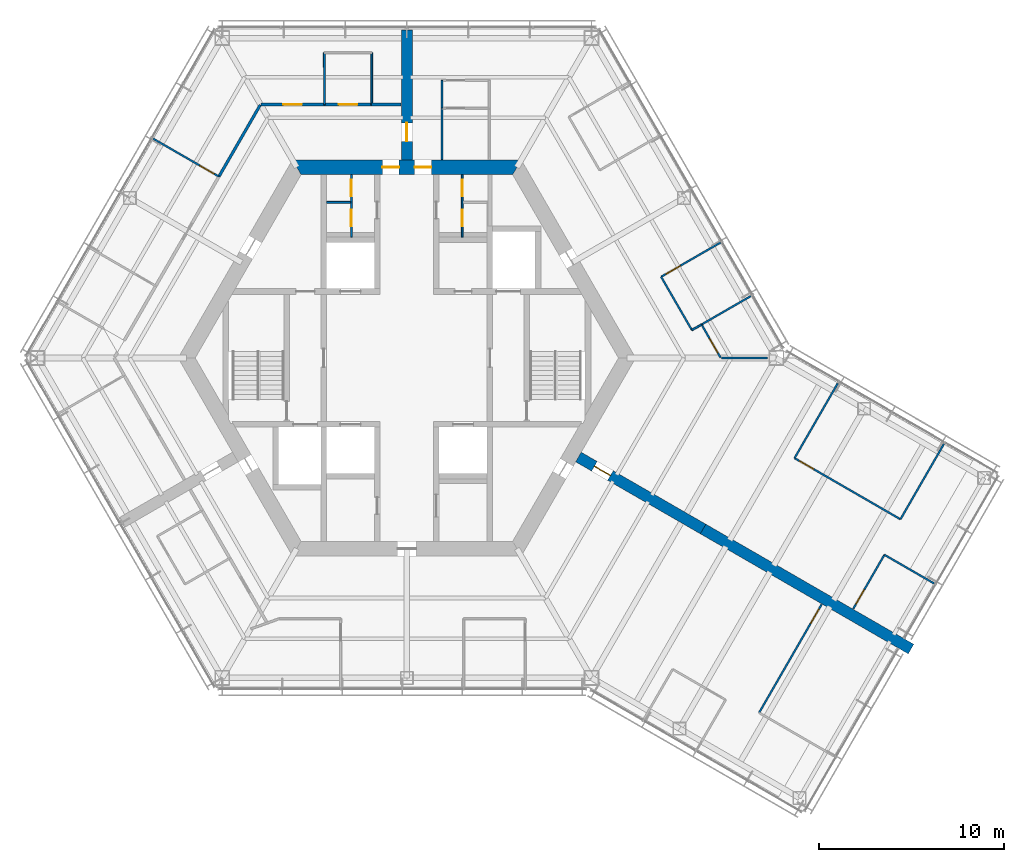
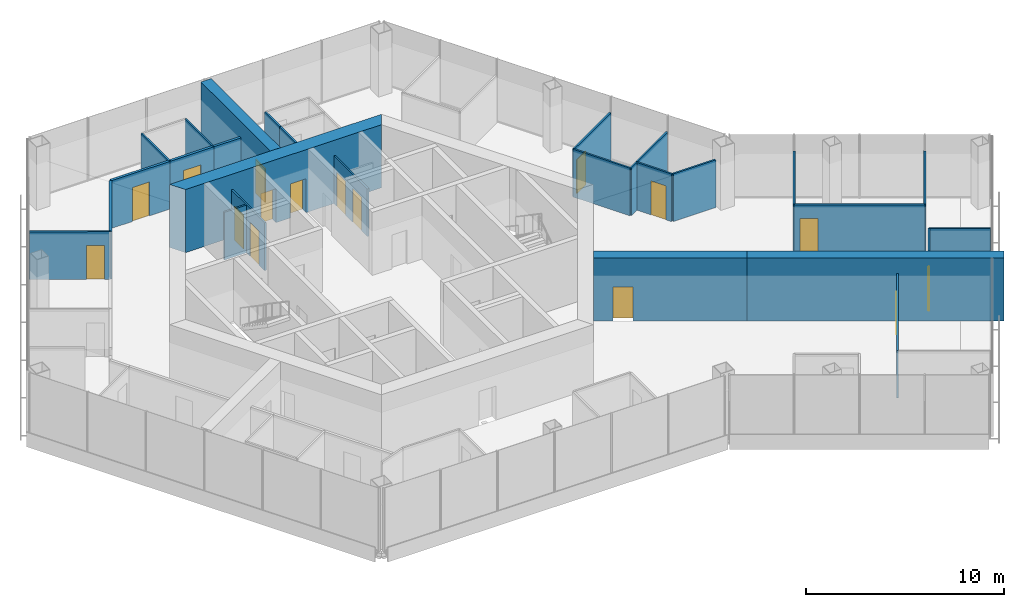
# One storey, part 12 of 16: 28 walls, 16 doors, 16 openings.
"""IFC4 building model written with IfcOpenShell, lengths in metres."""

from ifc_helpers import new_model, si_unit, direction, frame, frame_2d, origin, place, context, subcontext, project, spatial, polyline, rectangle, outline, extrude, material, layer, layer_set, type_object, element, fill, save


model = new_model("IFC4")

# Units and contexts
model_context = context("Model", 3, precision=1e-05, world=origin(), true_north=direction((0.0, 1.0)))
body_context = subcontext(model_context, "Body", "Model", "MODEL_VIEW")
ifc_project = project(units=[si_unit("LENGTHUNIT", "METRE"), si_unit("AREAUNIT", "SQUARE_METRE"), si_unit("VOLUMEUNIT", "CUBIC_METRE"), si_unit("PLANEANGLEUNIT", "RADIAN"), si_unit("MASSUNIT", "GRAM", prefix="KILO")], contexts=[model_context])

# Site, building, storey
site_placement = place(None, origin())
site = spatial("IfcSite", under=ifc_project, at=site_placement, CompositionType="ELEMENT")
building_placement = place(site_placement, origin())
building = spatial("IfcBuilding", under=site, at=building_placement, Name="Kasaneha Research Tower", CompositionType="ELEMENT")
storey_placement = place(building_placement, frame((0.0, 0.0, 255.699951171875)))
storey = spatial("IfcBuildingStorey", under=building, at=storey_placement, Name="L64", CompositionType="ELEMENT", Elevation=255.699951171875)

# Wall, openings, doors
ifc_material_1 = material(Name="Concrete Fc60", Category="concrete")
ifc_layer_1 = layer(ifc_material_1, 0.800048828125)
ifc_layer_set_1 = layer_set([ifc_layer_1], Name="Core wall 800 Fc60")
wall_type_1 = type_object("IfcWallType", Name="Core wall 800 Fc60", PredefinedType="SHEAR", material=ifc_layer_set_1)
wall_1_placement = place(storey_placement, frame((5.961181640625, 10.324951171875, 0.0), z_axis=(0.0, 0.0, 1.0), x_axis=(-1.0, 0.0, 0.0)))
wall_1 = element("IfcWall", 1, at=wall_1_placement, inside=storey, type_object=wall_type_1, Name="Core wall 090 L64", PredefinedType="SHEAR", context=body_context, shape_type="SweptSolid", body=[
    extrude(outline(polyline([(-0.23095703125, -0.39990234375), (4.63623046875, -0.39990234375), (5.5361328125, -0.39990234375), (6.38623046875, -0.39990234375), (7.2861328125, -0.39990234375), (12.1533203125, -0.39990234375), (11.69140625, 0.39990234375), (7.2861328125, 0.39990234375), (6.38623046875, 0.39990234375), (5.5361328125, 0.39990234375), (4.63623046875, 0.39990234375), (0.23095703125, 0.39990234375), (-0.23095703125, -0.39990234375)])), origin(), (0.0, 0.0, 1.0), 3.900146484375),
])
opening_1_placement = place(wall_1_placement, frame((6.38623046875, 0.0, 0.0)))
opening_1 = element("IfcOpeningElement", 2, at=opening_1_placement, cuts=wall_1, Name="Opening L64-D01", PredefinedType="OPENING", context=body_context, shape_type="SweptSolid", body=[
    extrude(rectangle(XDim=0.89990234375, YDim=2.10009765625, at=frame_2d((0.449951171875, 1.050048828125))), frame((0.0, 0.41015625, 0.0), z_axis=(0.0, -1.0, 0.0), x_axis=(1.0, 0.0, 0.0)), (0.0, 0.0, 1.0), 0.820068359375),
])
opening_2_placement = place(wall_1_placement, frame((4.63623046875, 0.0, 0.0)))
opening_2 = element("IfcOpeningElement", 3, at=opening_2_placement, cuts=wall_1, Name="Opening L64-D02", PredefinedType="OPENING", context=body_context, shape_type="SweptSolid", body=[
    extrude(rectangle(XDim=0.89990234375, YDim=2.10009765625, at=frame_2d((0.449951171875, 1.050048828125))), frame((0.0, 0.41015625, 0.0), z_axis=(0.0, -1.0, 0.0), x_axis=(1.0, 0.0, 0.0)), (0.0, 0.0, 1.0), 0.820068359375),
])
ifc_material_2 = material(Name="Steel", Category="steel")
door_type_1 = type_object("IfcDoorType", Name="Toilet door FD20 900x2100", OperationType="NOTDEFINED", PredefinedType="DOOR", material=ifc_material_2)
door_1_placement = place(opening_1_placement, origin())
door_1 = element("IfcDoor", 4, at=door_1_placement, inside=storey, type_object=door_type_1, Name="Core door north 1 L64-D01", OperationType="SINGLE_SWING_RIGHT", OverallHeight=2.10009765625, OverallWidth=0.89990234375, PredefinedType="DOOR", context=body_context, shape_type="SweptSolid", body=[
    extrude(rectangle(XDim=0.89990234375, YDim=2.10009765625, at=frame_2d((0.449951171875, 1.050048828125))), frame((0.0, 0.02490234375, 0.0), z_axis=(0.0, -1.0, 0.0), x_axis=(1.0, 0.0, 0.0)), (0.0, 0.0, 1.0), 0.050048828125),
])
fill(opening_1, door_1)
door_2_placement = place(opening_2_placement, origin())
door_2 = element("IfcDoor", 5, at=door_2_placement, inside=storey, type_object=door_type_1, Name="Core door north 2 L64-D02", OperationType="SINGLE_SWING_LEFT", OverallHeight=2.10009765625, OverallWidth=0.89990234375, PredefinedType="DOOR", context=body_context, shape_type="SweptSolid", body=[
    extrude(rectangle(XDim=0.89990234375, YDim=2.10009765625, at=frame_2d((0.449951171875, 1.050048828125))), frame((0.0, 0.02490234375, 0.0), z_axis=(0.0, -1.0, 0.0), x_axis=(1.0, 0.0, 0.0)), (0.0, 0.0, 1.0), 0.050048828125),
])
fill(opening_2, door_2)

ifc_material_3 = material(Name="Gypsum board on steel studs, one layer each side", Category="steel")
ifc_layer_2 = layer(ifc_material_3, 0.10009765625)
ifc_layer_set_2 = layer_set([ifc_layer_2], Name="Office partition 100")
wall_type_2 = type_object("IfcWallType", Name="Office partition 100", PredefinedType="PARTITIONING", material=ifc_layer_set_2)
wall_2_placement = place(storey_placement, frame((-3.0, 6.550048828125, 0.0), z_axis=(0.0, 0.0, 1.0), x_axis=(0.0, 1.0, 0.0)))
wall_2 = element("IfcWall", 6, at=wall_2_placement, inside=storey, type_object=wall_type_2, Name="Office partition TBM1 L64", PredefinedType="PARTITIONING", context=body_context, shape_type="SweptSolid", body=[
    extrude(rectangle(XDim=3.375, YDim=0.10009765625, at=frame_2d((1.6875, 0.0))), origin(), (0.0, 0.0, 1.0), 2.949951171875),
])
opening_3_placement = place(wall_2_placement, frame((0.58740234375, 0.0, 0.0)))
opening_3 = element("IfcOpeningElement", 7, at=opening_3_placement, cuts=wall_2, Name="Opening L64-D21", PredefinedType="OPENING", context=body_context, shape_type="SweptSolid", body=[
    extrude(rectangle(XDim=0.89990234375, YDim=2.10009765625, at=frame_2d((0.449951171875, 1.050048828125))), frame((0.0, 0.06005859375, 0.0), z_axis=(0.0, -1.0, 0.0), x_axis=(1.0, 0.0, 0.0)), (0.0, 0.0, 1.0), 0.1201171875),
])
opening_4_placement = place(wall_2_placement, frame((2.199951171875, 0.0, 0.0)))
opening_4 = element("IfcOpeningElement", 8, at=opening_4_placement, cuts=wall_2, Name="Opening L64-D22", PredefinedType="OPENING", context=body_context, shape_type="SweptSolid", body=[
    extrude(rectangle(XDim=0.89990234375, YDim=2.10009765625, at=frame_2d((0.449951171875, 1.050048828125))), frame((0.0, 0.06005859375, 0.0), z_axis=(0.0, -1.0, 0.0), x_axis=(1.0, 0.0, 0.0)), (0.0, 0.0, 1.0), 0.1201171875),
])
ifc_material_4 = material(Name="Steel", Category="steel")
door_type_2 = type_object("IfcDoorType", Name="Toilet lobby door FD30 900x2100", OperationType="NOTDEFINED", PredefinedType="DOOR", material=ifc_material_4)
door_3_placement = place(opening_3_placement, origin())
door_3 = element("IfcDoor", 9, at=door_3_placement, inside=storey, type_object=door_type_2, Name="Men's WC door L64-D21", OperationType="SINGLE_SWING_RIGHT", OverallHeight=2.10009765625, OverallWidth=0.89990234375, PredefinedType="DOOR", context=body_context, shape_type="SweptSolid", body=[
    extrude(rectangle(XDim=0.89990234375, YDim=2.10009765625, at=frame_2d((0.449951171875, 1.050048828125))), frame((0.0, 0.02490234375, 0.0), z_axis=(0.0, -1.0, 0.0), x_axis=(1.0, 0.0, 0.0)), (0.0, 0.0, 1.0), 0.050048828125),
])
fill(opening_3, door_3)
door_4_placement = place(opening_4_placement, origin())
door_4 = element("IfcDoor", 10, at=door_4_placement, inside=storey, type_object=door_type_2, Name="Parents' room door L64-D22", OperationType="SINGLE_SWING_RIGHT", OverallHeight=2.10009765625, OverallWidth=0.89990234375, PredefinedType="DOOR", context=body_context, shape_type="SweptSolid", body=[
    extrude(rectangle(XDim=0.89990234375, YDim=2.10009765625, at=frame_2d((0.449951171875, 1.050048828125))), frame((0.0, 0.02490234375, 0.0), z_axis=(0.0, -1.0, 0.0), x_axis=(1.0, 0.0, 0.0)), (0.0, 0.0, 1.0), 0.050048828125),
])
fill(opening_4, door_4)

# Wall
wall_3_placement = place(storey_placement, frame((-3.050048828125, 8.425048828125, 0.0), z_axis=(0.0, 0.0, 1.0), x_axis=(-1.0, 0.0, 0.0)))
element("IfcWall", 11, at=wall_3_placement, inside=storey, type_object=wall_type_2, Name="Office partition TBM2 L64", PredefinedType="PARTITIONING", context=body_context, shape_type="SweptSolid", body=[
    extrude(rectangle(XDim=1.300048828125, YDim=0.10009765625, at=frame_2d((0.64990234375, 0.0))), origin(), (0.0, 0.0, 1.0), 2.949951171875),
])

# Wall, openings, doors
wall_4_placement = place(storey_placement, frame((3.0, 6.550048828125, 0.0), z_axis=(0.0, 0.0, 1.0), x_axis=(0.0, 1.0, 0.0)))
wall_4 = element("IfcWall", 12, at=wall_4_placement, inside=storey, type_object=wall_type_2, Name="Office partition TBF1 L64", PredefinedType="PARTITIONING", context=body_context, shape_type="SweptSolid", body=[
    extrude(rectangle(XDim=3.375, YDim=0.10009765625, at=frame_2d((1.6875, 0.0))), origin(), (0.0, 0.0, 1.0), 2.949951171875),
])
opening_5_placement = place(wall_4_placement, frame((0.58740234375, 0.0, 0.0)))
opening_5 = element("IfcOpeningElement", 13, at=opening_5_placement, cuts=wall_4, Name="Opening L64-D23", PredefinedType="OPENING", context=body_context, shape_type="SweptSolid", body=[
    extrude(rectangle(XDim=0.89990234375, YDim=2.10009765625, at=frame_2d((0.449951171875, 1.050048828125))), frame((0.0, 0.06005859375, 0.0), z_axis=(0.0, -1.0, 0.0), x_axis=(1.0, 0.0, 0.0)), (0.0, 0.0, 1.0), 0.1201171875),
])
opening_6_placement = place(wall_4_placement, frame((2.199951171875, 0.0, 0.0)))
opening_6 = element("IfcOpeningElement", 14, at=opening_6_placement, cuts=wall_4, Name="Opening L64-D24", PredefinedType="OPENING", context=body_context, shape_type="SweptSolid", body=[
    extrude(rectangle(XDim=0.89990234375, YDim=2.10009765625, at=frame_2d((0.449951171875, 1.050048828125))), frame((0.0, 0.06005859375, 0.0), z_axis=(0.0, -1.0, 0.0), x_axis=(1.0, 0.0, 0.0)), (0.0, 0.0, 1.0), 0.1201171875),
])
door_5_placement = place(opening_5_placement, origin())
door_5 = element("IfcDoor", 15, at=door_5_placement, inside=storey, type_object=door_type_2, Name="Women's WC door L64-D23", OperationType="SINGLE_SWING_RIGHT", OverallHeight=2.10009765625, OverallWidth=0.89990234375, PredefinedType="DOOR", context=body_context, shape_type="SweptSolid", body=[
    extrude(rectangle(XDim=0.89990234375, YDim=2.10009765625, at=frame_2d((0.449951171875, 1.050048828125))), frame((0.0, 0.02490234375, 0.0), z_axis=(0.0, -1.0, 0.0), x_axis=(1.0, 0.0, 0.0)), (0.0, 0.0, 1.0), 0.050048828125),
])
fill(opening_5, door_5)
door_6_placement = place(opening_6_placement, origin())
door_6 = element("IfcDoor", 16, at=door_6_placement, inside=storey, type_object=door_type_2, Name="Cleaner's store door L64-D24", OperationType="SINGLE_SWING_RIGHT", OverallHeight=2.10009765625, OverallWidth=0.89990234375, PredefinedType="DOOR", context=body_context, shape_type="SweptSolid", body=[
    extrude(rectangle(XDim=0.89990234375, YDim=2.10009765625, at=frame_2d((0.449951171875, 1.050048828125))), frame((0.0, 0.02490234375, 0.0), z_axis=(0.0, -1.0, 0.0), x_axis=(1.0, 0.0, 0.0)), (0.0, 0.0, 1.0), 0.050048828125),
])
fill(opening_6, door_6)

# Walls
wall_5_placement = place(storey_placement, frame((1.89990234375, 10.7451171875, 0.0), z_axis=(0.0, 0.0, 1.0), x_axis=(0.001668713644, 0.999998607696, 0.0)))
element("IfcWall", 17, at=wall_5_placement, inside=storey, type_object=wall_type_2, Name="Office partition FAE02 L64", PredefinedType="PARTITIONING", context=body_context, shape_type="SweptSolid", body=[
    extrude(rectangle(XDim=2.77978515625, YDim=0.10009765625, at=frame_2d((1.389892578125, 0.0))), origin(), (0.0, 0.0, 1.0), 2.949951171875),
])
wall_6_placement = place(storey_placement, frame((1.904541015625, 13.52490234375, 0.0), z_axis=(0.0, 0.0, 1.0), x_axis=(-0.00309243313, 0.999995218417, 0.0)))
element("IfcWall", 18, at=wall_6_placement, inside=storey, type_object=wall_type_2, Name="Office partition FAE05 L64", PredefinedType="PARTITIONING", context=body_context, shape_type="SweptSolid", body=[
    extrude(rectangle(XDim=1.5, YDim=0.10009765625, at=frame_2d((0.75, 0.0))), origin(), (0.0, 0.0, 1.0), 2.949951171875),
])
wall_7_placement = place(storey_placement, frame((18.619873046875, 3.3505859375, 0.0), z_axis=(0.0, 0.0, 1.0), x_axis=(-0.866043267704, -0.499969057507, 0.0)))
element("IfcWall", 19, at=wall_7_placement, inside=storey, type_object=wall_type_2, Name="Office partition FAE07 L64", PredefinedType="PARTITIONING", context=body_context, shape_type="SweptSolid", body=[
    extrude(rectangle(XDim=3.085205078125, YDim=0.10009765625, at=frame_2d((1.54248046875, 0.0))), origin(), (0.0, 0.0, 1.0), 2.949951171875),
])

# Wall, opening, door
wall_8_placement = place(storey_placement, frame((13.767333984375, 4.395263671875, 0.0), z_axis=(0.0, 0.0, 1.0), x_axis=(0.8660398467, 0.499974983301, 0.0)))
wall_8 = element("IfcWall", 20, at=wall_8_placement, inside=storey, type_object=wall_type_2, Name="Office partition FAE08 L64", PredefinedType="PARTITIONING", context=body_context, shape_type="SweptSolid", body=[
    extrude(rectangle(XDim=3.710205078125, YDim=0.10009765625, at=frame_2d((1.85498046875, 0.0))), origin(), (0.0, 0.0, 1.0), 2.949951171875),
])
opening_7_placement = place(wall_8_placement, frame((0.300048828125, 0.0, 0.0)))
opening_7 = element("IfcOpeningElement", 21, at=opening_7_placement, cuts=wall_8, Name="Opening L64-D27", PredefinedType="OPENING", context=body_context, shape_type="SweptSolid", body=[
    extrude(rectangle(XDim=0.89990234375, YDim=2.10009765625, at=frame_2d((0.449951171875, 1.050048828125))), frame((0.0, 0.06005859375, 0.0), z_axis=(0.0, -1.0, 0.0), x_axis=(1.0, 0.0, 0.0)), (0.0, 0.0, 1.0), 0.1201171875),
])
ifc_material_5 = material(Name="Timber veneer", Category="wood")
door_type_3 = type_object("IfcDoorType", Name="Office door 900x2100", OperationType="SINGLE_SWING_LEFT", PredefinedType="DOOR", material=ifc_material_5)
door_7_placement = place(opening_7_placement, origin())
door_7 = element("IfcDoor", 22, at=door_7_placement, inside=storey, type_object=door_type_3, Name="Executive office door L64-D27", OperationType="SINGLE_SWING_LEFT", OverallHeight=2.10009765625, OverallWidth=0.89990234375, PredefinedType="DOOR", context=body_context, shape_type="SweptSolid", body=[
    extrude(rectangle(XDim=0.89990234375, YDim=2.10009765625, at=frame_2d((0.449951171875, 1.050048828125))), frame((0.0, 0.02490234375, 0.0), z_axis=(0.0, -1.0, 0.0), x_axis=(1.0, 0.0, 0.0)), (0.0, 0.0, 1.0), 0.050048828125),
])
fill(opening_7, door_7)

# Walls
wall_9_placement = place(storey_placement, frame((15.432861328125, 1.510498046875, 0.0), z_axis=(0.0, 0.0, 1.0), x_axis=(-0.500001606164, 0.866024476463, 0.0)))
element("IfcWall", 23, at=wall_9_placement, inside=storey, type_object=wall_type_2, Name="Office partition FAE09 L64", PredefinedType="PARTITIONING", context=body_context, shape_type="SweptSolid", body=[
    extrude(rectangle(XDim=3.3310546875, YDim=0.10009765625, at=frame_2d((1.66552734375, 0.0))), origin(), (0.0, 0.0, 1.0), 2.949951171875),
])
wall_10_placement = place(storey_placement, frame((15.956298828125, 1.812744140625, 0.0), z_axis=(0.0, 0.0, 1.0), x_axis=(-0.865997239347, -0.500048779063, 0.0)))
element("IfcWall", 24, at=wall_10_placement, inside=storey, type_object=wall_type_2, Name="Office partition FAE10 L64", PredefinedType="PARTITIONING", context=body_context, shape_type="SweptSolid", body=[
    extrude(rectangle(XDim=0.6044921875, YDim=0.10009765625, at=frame_2d((0.30224609375, 0.0))), origin(), (0.0, 0.0, 1.0), 2.949951171875),
])

# Wall, opening, door
wall_11_placement = place(storey_placement, frame((16.986083984375, 0.02001953125, 0.0), z_axis=(0.0, 0.0, 1.0), x_axis=(-0.498096123952, 0.867121820337, 0.0)))
wall_11 = element("IfcWall", 25, at=wall_11_placement, inside=storey, type_object=wall_type_2, Name="Office partition FAE14 L64", PredefinedType="PARTITIONING", context=body_context, shape_type="SweptSolid", body=[
    extrude(rectangle(XDim=2.0673828125, YDim=0.10009765625, at=frame_2d((1.03369140625, 0.0))), origin(), (0.0, 0.0, 1.0), 2.949951171875),
])
opening_8_placement = place(wall_11_placement, frame((0.300048828125, 0.0, 0.0)))
opening_8 = element("IfcOpeningElement", 26, at=opening_8_placement, cuts=wall_11, Name="Opening L64-D29", PredefinedType="OPENING", context=body_context, shape_type="SweptSolid", body=[
    extrude(rectangle(XDim=0.89990234375, YDim=2.10009765625, at=frame_2d((0.449951171875, 1.050048828125))), frame((0.0, 0.06005859375, 0.0), z_axis=(0.0, -1.0, 0.0), x_axis=(1.0, 0.0, 0.0)), (0.0, 0.0, 1.0), 0.1201171875),
])
door_8_placement = place(opening_8_placement, origin())
door_8 = element("IfcDoor", 27, at=door_8_placement, inside=storey, type_object=door_type_3, Name="Workroom door L64-D29", OperationType="SINGLE_SWING_LEFT", OverallHeight=2.10009765625, OverallWidth=0.89990234375, PredefinedType="DOOR", context=body_context, shape_type="SweptSolid", body=[
    extrude(rectangle(XDim=0.89990234375, YDim=2.10009765625, at=frame_2d((0.449951171875, 1.050048828125))), frame((0.0, 0.02490234375, 0.0), z_axis=(0.0, -1.0, 0.0), x_axis=(1.0, 0.0, 0.0)), (0.0, 0.0, 1.0), 0.050048828125),
])
fill(opening_8, door_8)

# Walls
for number, where, z_axis, x_axis, name in (
    (28, (-4.46044921875, 13.72509765625, 0.0), (0.0, 0.0, 1.0), (-0.001656781821, 0.999998627536, 0.0), "Office partition FAW05 L64"),
    (29, (-1.89990234375, 16.52490234375, 0.0), (0.0, 0.0, 1.0), (-0.001656781821, -0.999998627536, 0.0), "Office partition FAW06 L64"),
):
    element("IfcWall", number, at=place(storey_placement, frame(where, z_axis=z_axis, x_axis=x_axis)), inside=storey, type_object=wall_type_2, Name=name, PredefinedType="PARTITIONING", context=body_context, shape_type="SweptSolid", body=[
        extrude(rectangle(XDim=2.7998046875, YDim=0.10009765625, at=frame_2d((1.39990234375, 0.0))), origin(), (0.0, 0.0, 1.0), 2.949951171875),
    ])

# Wall, opening, door
wall_12_placement = place(storey_placement, frame((-10.17626953125, 9.82421875, 0.0), z_axis=(0.0, 0.0, 1.0), x_axis=(-0.866569463841, 0.499056474098, 0.0)))
wall_12 = element("IfcWall", 30, at=wall_12_placement, inside=storey, type_object=wall_type_2, Name="Office partition FBN07 L64", PredefinedType="PARTITIONING", context=body_context, shape_type="SweptSolid", body=[
    extrude(rectangle(XDim=4.10546875, YDim=0.10009765625, at=frame_2d((2.052734375, 0.0))), origin(), (0.0, 0.0, 1.0), 2.949951171875),
])
opening_9_placement = place(wall_12_placement, frame((0.300048828125, 0.0, 0.0)))
opening_9 = element("IfcOpeningElement", 31, at=opening_9_placement, cuts=wall_12, Name="Opening L64-D34", PredefinedType="OPENING", context=body_context, shape_type="SweptSolid", body=[
    extrude(rectangle(XDim=0.89990234375, YDim=2.10009765625, at=frame_2d((0.449951171875, 1.050048828125))), frame((0.0, 0.06005859375, 0.0), z_axis=(0.0, -1.0, 0.0), x_axis=(1.0, 0.0, 0.0)), (0.0, 0.0, 1.0), 0.1201171875),
])
door_9_placement = place(opening_9_placement, origin())
door_9 = element("IfcDoor", 32, at=door_9_placement, inside=storey, type_object=door_type_3, Name="Executive office door L64-D34", OperationType="SINGLE_SWING_LEFT", OverallHeight=2.10009765625, OverallWidth=0.89990234375, PredefinedType="DOOR", context=body_context, shape_type="SweptSolid", body=[
    extrude(rectangle(XDim=0.89990234375, YDim=2.10009765625, at=frame_2d((0.449951171875, 1.050048828125))), frame((0.0, 0.02490234375, 0.0), z_axis=(0.0, -1.0, 0.0), x_axis=(1.0, 0.0, 0.0)), (0.0, 0.0, 1.0), 0.050048828125),
])
fill(opening_9, door_9)

# Wall
wall_13_placement = place(storey_placement, frame((20.9921875, -5.422607421875, 0.0), z_axis=(0.0, 0.0, 1.0), x_axis=(0.500015969955, 0.86601618333, 0.0)))
element("IfcWall", 33, at=wall_13_placement, inside=storey, type_object=wall_type_2, Name="Office partition FCE01 L64", PredefinedType="PARTITIONING", context=body_context, shape_type="SweptSolid", body=[
    extrude(rectangle(XDim=4.679931640625, YDim=0.10009765625, at=frame_2d((2.33984375, 0.0))), origin(), (0.0, 0.0, 1.0), 2.949951171875),
])

# Wall, opening, door
wall_14_placement = place(storey_placement, frame((26.72509765625, -8.732421875, 0.0), z_axis=(0.0, 0.0, 1.0), x_axis=(-0.866030817826, 0.499990622488, 0.0)))
wall_14 = element("IfcWall", 34, at=wall_14_placement, inside=storey, type_object=wall_type_2, Name="Office partition FCE02 L64", PredefinedType="PARTITIONING", context=body_context, shape_type="SweptSolid", body=[
    extrude(rectangle(XDim=6.619873046875, YDim=0.10009765625, at=frame_2d((3.31005859375, 0.0))), origin(), (0.0, 0.0, 1.0), 2.949951171875),
])
opening_10_placement = place(wall_14_placement, frame((5.419677734375, 0.0, 0.0)))
opening_10 = element("IfcOpeningElement", 35, at=opening_10_placement, cuts=wall_14, Name="Opening L64-D39", PredefinedType="OPENING", context=body_context, shape_type="SweptSolid", body=[
    extrude(rectangle(XDim=0.89990234375, YDim=2.10009765625, at=frame_2d((0.449951171875, 1.050048828125))), frame((0.0, 0.06005859375, 0.0), z_axis=(0.0, -1.0, 0.0), x_axis=(1.0, 0.0, 0.0)), (0.0, 0.0, 1.0), 0.1201171875),
])
door_10_placement = place(opening_10_placement, origin())
door_10 = element("IfcDoor", 36, at=door_10_placement, inside=storey, type_object=door_type_3, Name="Executive office door L64-D39", OperationType="SINGLE_SWING_RIGHT", OverallHeight=2.10009765625, OverallWidth=0.89990234375, PredefinedType="DOOR", context=body_context, shape_type="SweptSolid", body=[
    extrude(rectangle(XDim=0.89990234375, YDim=2.10009765625, at=frame_2d((0.449951171875, 1.050048828125))), frame((0.0, 0.02490234375, 0.0), z_axis=(0.0, -1.0, 0.0), x_axis=(1.0, 0.0, 0.0)), (0.0, 0.0, 1.0), 0.050048828125),
])
fill(opening_10, door_10)

# Wall
wall_15_placement = place(storey_placement, frame((29.080078125, -4.6533203125, 0.0), z_axis=(0.0, 0.0, 1.0), x_axis=(-0.499985682323, -0.866033669941, 0.0)))
element("IfcWall", 37, at=wall_15_placement, inside=storey, type_object=wall_type_2, Name="Office partition FCE03 L64", PredefinedType="PARTITIONING", context=body_context, shape_type="SweptSolid", body=[
    extrude(rectangle(XDim=4.710205078125, YDim=0.10009765625, at=frame_2d((2.35498046875, 0.0))), origin(), (0.0, 0.0, 1.0), 2.949951171875),
])

# Wall, opening, door
wall_16_placement = place(storey_placement, frame((24.166748046875, -13.5830078125, 0.0), z_axis=(0.0, 0.0, 1.0), x_axis=(0.500007997579, 0.866020786331, 0.0)))
wall_16 = element("IfcWall", 38, at=wall_16_placement, inside=storey, type_object=wall_type_2, Name="Office partition FCE04 L64", PredefinedType="PARTITIONING", context=body_context, shape_type="SweptSolid", body=[
    extrude(rectangle(XDim=3.3798828125, YDim=0.10009765625, at=frame_2d((1.68994140625, 0.0))), origin(), (0.0, 0.0, 1.0), 2.949951171875),
])
opening_11_placement = place(wall_16_placement, frame((0.300048828125, 0.0, 0.0)))
opening_11 = element("IfcOpeningElement", 39, at=opening_11_placement, cuts=wall_16, Name="Opening L64-D40", PredefinedType="OPENING", context=body_context, shape_type="SweptSolid", body=[
    extrude(rectangle(XDim=0.89990234375, YDim=2.10009765625, at=frame_2d((0.449951171875, 1.050048828125))), frame((0.0, 0.06005859375, 0.0), z_axis=(0.0, -1.0, 0.0), x_axis=(1.0, 0.0, 0.0)), (0.0, 0.0, 1.0), 0.1201171875),
])
door_11_placement = place(opening_11_placement, origin())
door_11 = element("IfcDoor", 40, at=door_11_placement, inside=storey, type_object=door_type_3, Name="Workroom door L64-D40", OperationType="SINGLE_SWING_LEFT", OverallHeight=2.10009765625, OverallWidth=0.89990234375, PredefinedType="DOOR", context=body_context, shape_type="SweptSolid", body=[
    extrude(rectangle(XDim=0.89990234375, YDim=2.10009765625, at=frame_2d((0.449951171875, 1.050048828125))), frame((0.0, 0.02490234375, 0.0), z_axis=(0.0, -1.0, 0.0), x_axis=(1.0, 0.0, 0.0)), (0.0, 0.0, 1.0), 0.050048828125),
])
fill(opening_11, door_11)

# Wall
wall_17_placement = place(storey_placement, frame((25.856689453125, -10.656005859375, 0.0), z_axis=(0.0, 0.0, 1.0), x_axis=(0.866036558865, -0.499980678337, 0.0)))
element("IfcWall", 41, at=wall_17_placement, inside=storey, type_object=wall_type_2, Name="Office partition FCE05 L64", PredefinedType="PARTITIONING", context=body_context, shape_type="SweptSolid", body=[
    extrude(rectangle(XDim=3.10986328125, YDim=0.10009765625, at=frame_2d((1.554931640625, 0.0))), origin(), (0.0, 0.0, 1.0), 2.949951171875),
])

# Wall, opening, door
wall_18_placement = place(storey_placement, frame((19.071044921875, -19.208984375, 0.0), z_axis=(0.0, 0.0, 1.0), x_axis=(0.499992600721, 0.866029675718, 0.0)))
wall_18 = element("IfcWall", 42, at=wall_18_placement, inside=storey, type_object=wall_type_2, Name="Office partition FCS07 L64", PredefinedType="PARTITIONING", context=body_context, shape_type="SweptSolid", body=[
    extrude(rectangle(XDim=6.77978515625, YDim=0.10009765625, at=frame_2d((3.389892578125, 0.0))), origin(), (0.0, 0.0, 1.0), 2.949951171875),
])
opening_12_placement = place(wall_18_placement, frame((5.580078125, 0.0, 0.0)))
opening_12 = element("IfcOpeningElement", 43, at=opening_12_placement, cuts=wall_18, Name="Opening L64-D43", PredefinedType="OPENING", context=body_context, shape_type="SweptSolid", body=[
    extrude(rectangle(XDim=0.89990234375, YDim=2.10009765625, at=frame_2d((0.449951171875, 1.050048828125))), frame((0.0, 0.06005859375, 0.0), z_axis=(0.0, -1.0, 0.0), x_axis=(1.0, 0.0, 0.0)), (0.0, 0.0, 1.0), 0.1201171875),
])
door_12_placement = place(opening_12_placement, origin())
door_12 = element("IfcDoor", 44, at=door_12_placement, inside=storey, type_object=door_type_3, Name="Board meeting room door L64-D43", OperationType="SINGLE_SWING_RIGHT", OverallHeight=2.10009765625, OverallWidth=0.89990234375, PredefinedType="DOOR", context=body_context, shape_type="SweptSolid", body=[
    extrude(rectangle(XDim=0.89990234375, YDim=2.10009765625, at=frame_2d((0.449951171875, 1.050048828125))), frame((0.0, 0.02490234375, 0.0), z_axis=(0.0, -1.0, 0.0), x_axis=(1.0, 0.0, 0.0)), (0.0, 0.0, 1.0), 0.050048828125),
])
fill(opening_12, door_12)

# Wall
wall_19_placement = place(storey_placement, frame((19.5185546875, 0.0, 0.0), z_axis=(0.0, 0.0, 1.0), x_axis=(-1.0, 0.0, 0.0)))
element("IfcWall", 45, at=wall_19_placement, inside=storey, type_object=wall_type_2, Name="Office partition closer PT5 L64", PredefinedType="PARTITIONING", context=body_context, shape_type="SweptSolid", body=[
    extrude(rectangle(XDim=2.477783203125, YDim=0.10009765625, at=frame_2d((1.23876953125, 0.0))), origin(), (0.0, 0.0, 1.0), 2.949951171875),
])

# Wall, opening, door
ifc_material_6 = material(Name="Concrete Fc60", Category="concrete")
ifc_layer_3 = layer(ifc_material_6, 0.60009765625)
ifc_layer_set_3 = layer_set([ifc_layer_3], Name="Spine wall 600 Fc60")
wall_type_3 = type_object("IfcWallType", Name="Spine wall 600 Fc60", PredefinedType="SHEAR", material=ifc_layer_set_3)
wall_20_placement = place(storey_placement, frame((0.0, 10.72509765625, 0.0), z_axis=(0.0, 0.0, 1.0), x_axis=(0.0, 1.0, 0.0)))
wall_20 = element("IfcWall", 46, at=wall_20_placement, inside=storey, type_object=wall_type_3, Name="Spine wall A L64", PredefinedType="SHEAR", context=body_context, shape_type="SweptSolid", body=[
    extrude(rectangle(XDim=7.04541015625, YDim=0.60009765625, at=frame_2d((3.522705078125, 0.0))), origin(), (0.0, 0.0, 1.0), 3.900146484375),
])
opening_13_placement = place(wall_20_placement, frame((1.0, 0.0, 0.0)))
opening_13 = element("IfcOpeningElement", 47, at=opening_13_placement, cuts=wall_20, Name="Opening L64-D18", PredefinedType="OPENING", context=body_context, shape_type="SweptSolid", body=[
    extrude(rectangle(XDim=1.0, YDim=2.10009765625, at=frame_2d((0.5, 1.050048828125))), frame((0.0, 0.31005859375, 0.0), z_axis=(0.0, -1.0, 0.0), x_axis=(1.0, 0.0, 0.0)), (0.0, 0.0, 1.0), 0.6201171875),
])
ifc_material_7 = material(Name="Steel", Category="steel")
door_type_4 = type_object("IfcDoorType", Name="Specified fire door FD60 1000x2100", OperationType="NOTDEFINED", PredefinedType="DOOR", material=ifc_material_7)
door_13_placement = place(opening_13_placement, origin())
door_13 = element("IfcDoor", 48, at=door_13_placement, inside=storey, type_object=door_type_4, Name="Spine doorway A L64-D18", OperationType="SINGLE_SWING_LEFT", OverallHeight=2.10009765625, OverallWidth=1.0, PredefinedType="DOOR", context=body_context, shape_type="SweptSolid", body=[
    extrude(rectangle(XDim=1.0, YDim=2.10009765625, at=frame_2d((0.5, 1.050048828125))), frame((0.0, 0.02490234375, 0.0), z_axis=(0.0, -1.0, 0.0), x_axis=(1.0, 0.0, 0.0)), (0.0, 0.0, 1.0), 0.050048828125),
])
fill(opening_13, door_13)

wall_21_placement = place(storey_placement, frame((9.2880859375, -5.362548828125, 0.0), z_axis=(0.0, 0.0, 1.0), x_axis=(0.866031736626, -0.499989031036, 0.0)))
wall_21 = element("IfcWall", 49, at=wall_21_placement, inside=storey, type_object=wall_type_3, Name="Spine wall C L64", PredefinedType="SHEAR", context=body_context, shape_type="SweptSolid", body=[
    extrude(rectangle(XDim=7.795654296875, YDim=0.60009765625, at=frame_2d((3.89794921875, 0.0))), origin(), (0.0, 0.0, 1.0), 3.900146484375),
])
opening_14_placement = place(wall_21_placement, frame((1.0, 0.0, 0.0)))
opening_14 = element("IfcOpeningElement", 50, at=opening_14_placement, cuts=wall_21, Name="Opening L64-D20", PredefinedType="OPENING", context=body_context, shape_type="SweptSolid", body=[
    extrude(rectangle(XDim=1.0, YDim=2.10009765625, at=frame_2d((0.5, 1.050048828125))), frame((0.0, 0.31005859375, 0.0), z_axis=(0.0, -1.0, 0.0), x_axis=(1.0, 0.0, 0.0)), (0.0, 0.0, 1.0), 0.6201171875),
])
door_14_placement = place(opening_14_placement, origin())
door_14 = element("IfcDoor", 51, at=door_14_placement, inside=storey, type_object=door_type_4, Name="Spine doorway C L64-D20", OperationType="SINGLE_SWING_LEFT", OverallHeight=2.10009765625, OverallWidth=1.0, PredefinedType="DOOR", context=body_context, shape_type="SweptSolid", body=[
    extrude(rectangle(XDim=1.0, YDim=2.10009765625, at=frame_2d((0.5, 1.050048828125))), frame((0.0, 0.02490234375, 0.0), z_axis=(0.0, -1.0, 0.0), x_axis=(1.0, 0.0, 0.0)), (0.0, 0.0, 1.0), 0.050048828125),
])
fill(opening_14, door_14)

# Wall
wall_22_placement = place(storey_placement, frame((16.039306640625, -9.26025390625, 0.0), z_axis=(0.0, 0.0, 1.0), x_axis=(0.866024837091, -0.50000098154, 0.0)))
element("IfcWall", 52, at=wall_22_placement, inside=storey, type_object=wall_type_3, Name="Spine wall C wing L64", PredefinedType="SHEAR", context=body_context, shape_type="SweptSolid", body=[
    extrude(rectangle(XDim=13.0, YDim=0.60009765625, at=frame_2d((6.5, 0.0))), origin(), (0.0, 0.0, 1.0), 3.900146484375),
])

# Wall, opening, door
ifc_material_8 = material(Name="Gypsum board on steel studs, two layers each side", Category="steel")
ifc_layer_4 = layer(ifc_material_8, 0.14990234375)
ifc_layer_set_4 = layer_set([ifc_layer_4], Name="Suite partition 150")
wall_type_4 = type_object("IfcWallType", Name="Suite partition 150", PredefinedType="PARTITIONING", material=ifc_layer_set_4)
wall_23_placement = place(storey_placement, frame((-4.469970703125, 13.72509765625, 0.0), z_axis=(0.0, 0.0, 1.0), x_axis=(1.0, 0.0, 0.0)))
wall_23 = element("IfcWall", 53, at=wall_23_placement, inside=storey, type_object=wall_type_4, Name="Suite partition FAW01 L64", PredefinedType="PARTITIONING", context=body_context, shape_type="SweptSolid", body=[
    extrude(rectangle(XDim=2.574951171875, YDim=0.14990234375, at=frame_2d((1.28759765625, 0.0))), origin(), (0.0, 0.0, 1.0), 2.949951171875),
])
opening_15_placement = place(wall_23_placement, frame((0.78759765625, 0.0, 0.0)))
opening_15 = element("IfcOpeningElement", 54, at=opening_15_placement, cuts=wall_23, Name="Opening L64-D30", PredefinedType="OPENING", context=body_context, shape_type="SweptSolid", body=[
    extrude(rectangle(XDim=1.0, YDim=2.10009765625, at=frame_2d((0.5, 1.050048828125))), frame((0.0, 0.0849609375, 0.0), z_axis=(0.0, -1.0, 0.0), x_axis=(1.0, 0.0, 0.0)), (0.0, 0.0, 1.0), 0.169921875),
])
ifc_material_9 = material(Name="Steel", Category="steel")
door_type_5 = type_object("IfcDoorType", Name="Suite entrance door FD60 1000x2100", OperationType="NOTDEFINED", PredefinedType="DOOR", material=ifc_material_9)
door_15_placement = place(opening_15_placement, origin())
door_15 = element("IfcDoor", 55, at=door_15_placement, inside=storey, type_object=door_type_5, Name="Suite entrance door L64-D30", OperationType="SINGLE_SWING_RIGHT", OverallHeight=2.10009765625, OverallWidth=1.0, PredefinedType="DOOR", context=body_context, shape_type="SweptSolid", body=[
    extrude(rectangle(XDim=1.0, YDim=2.10009765625, at=frame_2d((0.5, 1.050048828125))), frame((0.0, 0.02490234375, 0.0), z_axis=(0.0, -1.0, 0.0), x_axis=(1.0, 0.0, 0.0)), (0.0, 0.0, 1.0), 0.050048828125),
])
fill(opening_15, door_15)

wall_24_placement = place(storey_placement, frame((-7.90087890625, 13.72509765625, 0.0), z_axis=(0.0, 0.0, 1.0), x_axis=(1.0, 0.0, 0.0)))
wall_24 = element("IfcWall", 56, at=wall_24_placement, inside=storey, type_object=wall_type_4, Name="Suite partition FAW02 L64", PredefinedType="PARTITIONING", context=body_context, shape_type="SweptSolid", body=[
    extrude(rectangle(XDim=3.4404296875, YDim=0.14990234375, at=frame_2d((1.72021484375, 0.0))), origin(), (0.0, 0.0, 1.0), 2.949951171875),
])
opening_16_placement = place(wall_24_placement, frame((1.22021484375, 0.0, 0.0)))
opening_16 = element("IfcOpeningElement", 57, at=opening_16_placement, cuts=wall_24, Name="Opening L64-D31", PredefinedType="OPENING", context=body_context, shape_type="SweptSolid", body=[
    extrude(rectangle(XDim=1.0, YDim=2.10009765625, at=frame_2d((0.5, 1.050048828125))), frame((0.0, 0.0849609375, 0.0), z_axis=(0.0, -1.0, 0.0), x_axis=(1.0, 0.0, 0.0)), (0.0, 0.0, 1.0), 0.169921875),
])
door_16_placement = place(opening_16_placement, origin())
door_16 = element("IfcDoor", 58, at=door_16_placement, inside=storey, type_object=door_type_5, Name="Suite entrance door L64-D31", OperationType="SINGLE_SWING_RIGHT", OverallHeight=2.10009765625, OverallWidth=1.0, PredefinedType="DOOR", context=body_context, shape_type="SweptSolid", body=[
    extrude(rectangle(XDim=1.0, YDim=2.10009765625, at=frame_2d((0.5, 1.050048828125))), frame((0.0, 0.02490234375, 0.0), z_axis=(0.0, -1.0, 0.0), x_axis=(1.0, 0.0, 0.0)), (0.0, 0.0, 1.0), 0.050048828125),
])
fill(opening_16, door_16)

# Walls
wall_25_placement = place(storey_placement, frame((-1.904541015625, 13.72509765625, 0.0), z_axis=(0.0, 0.0, 1.0), x_axis=(1.0, 0.0, 0.0)))
element("IfcWall", 59, at=wall_25_placement, inside=storey, type_object=wall_type_4, Name="Suite partition FAW03 L64", PredefinedType="PARTITIONING", context=body_context, shape_type="SweptSolid", body=[
    extrude(rectangle(XDim=1.58447265625, YDim=0.14990234375, at=frame_2d((0.792236328125, 0.0))), origin(), (0.0, 0.0, 1.0), 2.949951171875),
])
wall_26_placement = place(storey_placement, frame((-10.180908203125, 9.816162109375, 0.0), z_axis=(0.0, 0.0, 1.0), x_axis=(0.499975026679, 0.866039821658, 0.0)))
element("IfcWall", 60, at=wall_26_placement, inside=storey, type_object=wall_type_4, Name="Suite partition FBN01 L64", PredefinedType="PARTITIONING", context=body_context, shape_type="SweptSolid", body=[
    extrude(rectangle(XDim=4.490478515625, YDim=0.14990234375, at=frame_2d((2.2451171875, 0.0))), origin(), (0.0, 0.0, 1.0), 2.949951171875),
])

save(model, "model.ifc")
